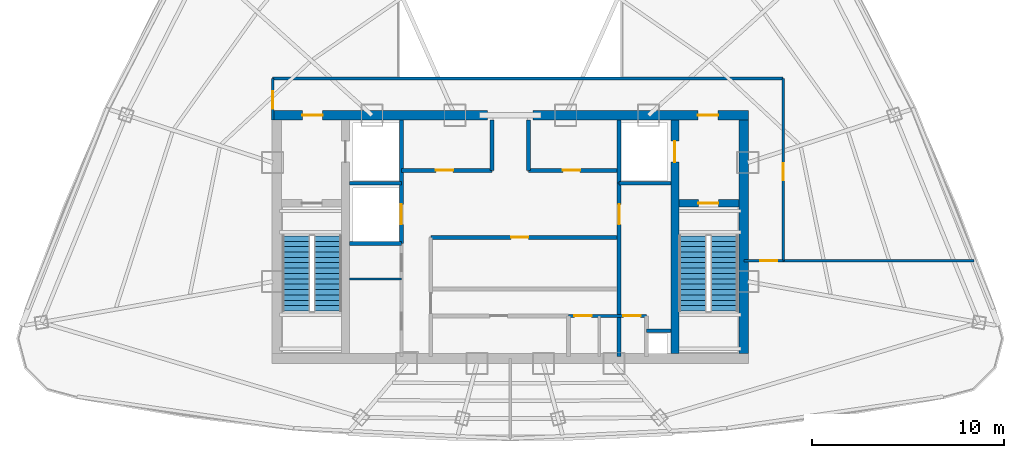
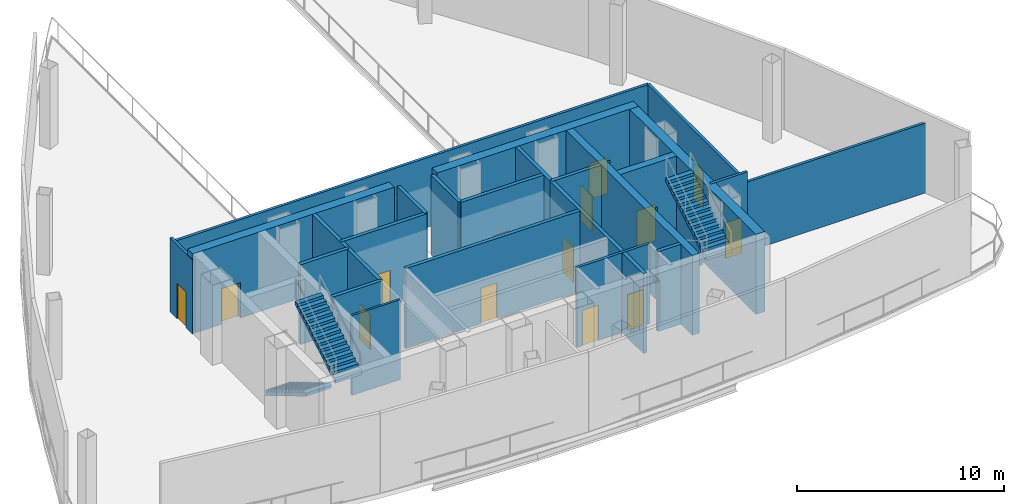
# One storey, part 3 of 6: 24 walls, 14 doors, 4 stair flights, 14 openings, 2 elements without a shape of their own.
"""IFC4 building model written with IfcOpenShell, lengths in metres."""

from ifc_helpers import new_model, si_unit, direction, frame, frame_2d, origin, origin_with_axes, place, context, subcontext, project, spatial, polyline, rectangle, outline, extrude, source, transform, mapped, material, layer, layer_set, type_object, element, fill, aggregate, save


model = new_model("IFC4")

# Units and contexts
model_context = context("Model", 3, precision=1e-05, world=origin(), true_north=direction((0.0, 1.0)))
body_context = subcontext(model_context, "Body", "Model", "MODEL_VIEW")
ifc_project = project(units=[si_unit("LENGTHUNIT", "METRE"), si_unit("AREAUNIT", "SQUARE_METRE"), si_unit("VOLUMEUNIT", "CUBIC_METRE"), si_unit("PLANEANGLEUNIT", "RADIAN"), si_unit("MASSUNIT", "GRAM", prefix="KILO"), si_unit("THERMODYNAMICTEMPERATUREUNIT", "KELVIN"), si_unit("POWERUNIT", "WATT")], contexts=[model_context])

# Site, building, storey
site_placement = place(None, origin())
site = spatial("IfcSite", under=ifc_project, at=site_placement, CompositionType="ELEMENT")
building_placement = place(site_placement, origin())
building = spatial("IfcBuilding", under=site, at=building_placement, Name="Yunzhuo Pagoda Commons", CompositionType="ELEMENT")
storey_placement = place(building_placement, frame((0.0, 0.0, 376.760009765625)))
storey = spatial("IfcBuildingStorey", under=building, at=storey_placement, Name="L94", CompositionType="ELEMENT", Elevation=376.760009765625)

# Wall, opening, door
ifc_material_1 = material(Name="Concrete C50", Category="concrete")
ifc_layer_1 = layer(ifc_material_1, 0.5)
ifc_layer_set_1 = layer_set([ifc_layer_1], Name="Concrete C50")
wall_type_1 = type_object("IfcWallType", Name="W-C03 Upper Core Shear Wall 500", PredefinedType="SHEAR", material=ifc_layer_set_1)
wall_1_placement = place(storey_placement, frame((35.550048828125, 40.199951171875, 0.0), z_axis=(0.0, 0.0, 1.0), x_axis=(1.0, 0.0, 0.0)))
wall_1 = element("IfcWall", 1, at=wall_1_placement, inside=storey, type_object=wall_type_1, Name="L94 core shear wall NW", PredefinedType="SHEAR", context=body_context, shape_type="SweptSolid", body=[
    extrude(rectangle(XDim=11.25, YDim=0.5, at=frame_2d((5.625, 0.0))), origin(), (0.0, 0.0, 1.0), 4.719970703125),
])
opening_1_placement = place(wall_1_placement, frame((1.60009765625, 0.0, 0.0)))
opening_1 = element("IfcOpeningElement", 2, at=opening_1_placement, cuts=wall_1, Name="Opening D-02", PredefinedType="OPENING", context=body_context, shape_type="SweptSolid", body=[
    extrude(rectangle(XDim=1.050048828125, YDim=2.10009765625, at=frame_2d((0.52490234375, 1.050048828125))), frame((0.0, 0.260009765625, 0.0), z_axis=(0.0, -1.0, 0.0), x_axis=(1.0, 0.0, 0.0)), (0.0, 0.0, 1.0), 0.52001953125),
])
ifc_material_2 = material(Name="Galvanized fire-resisting metal leaf")
door_type_1 = type_object("IfcDoorType", Name="D-02 Firefighting Lobby & Refuge Fire Door 1050x2100", OperationType="NOTDEFINED", PredefinedType="DOOR", material=ifc_material_2)
shared_shape_1 = source(origin(), body_context, "Body", "SweptSolid", [
    extrude(rectangle(XDim=1.050048828125, YDim=2.10009765625, at=frame_2d((0.52490234375, 1.050048828125))), frame((0.0, 0.02490234375, 0.0), z_axis=(0.0, -1.0, 0.0), x_axis=(1.0, 0.0, 0.0)), (0.0, 0.0, 1.0), 0.050048828125),
])
door_1_placement = place(opening_1_placement, frame((1.050048828125, 0.0, 0.0), z_axis=(0.0, 0.0, 1.0), x_axis=(-1.0, 0.0, 0.0)))
door_1 = element("IfcDoor", 3, at=door_1_placement, inside=storey, type_object=door_type_1, Name="L94 Firefighting Lobby 1 fire door", OperationType="SINGLE_SWING_LEFT", OverallHeight=2.10009765625, OverallWidth=1.050048828125, PredefinedType="DOOR", context=body_context, shape_type="MappedRepresentation", body=[
    mapped(shared_shape_1, transform((0.0, 0.0, 0.0), scale=1.0)),
])
fill(opening_1, door_1)

wall_2_placement = place(storey_placement, frame((49.199951171875, 40.199951171875, 0.0), z_axis=(0.0, 0.0, 1.0), x_axis=(1.0, 0.0, 0.0)))
wall_2 = element("IfcWall", 4, at=wall_2_placement, inside=storey, type_object=wall_type_1, Name="L94 core shear wall NE", PredefinedType="SHEAR", context=body_context, shape_type="SweptSolid", body=[
    extrude(rectangle(XDim=11.25, YDim=0.5, at=frame_2d((5.625, 0.0))), origin(), (0.0, 0.0, 1.0), 4.719970703125),
])
opening_2_placement = place(wall_2_placement, frame((8.60009765625, 0.0, 0.0)))
opening_2 = element("IfcOpeningElement", 5, at=opening_2_placement, cuts=wall_2, Name="Opening D-02", PredefinedType="OPENING", context=body_context, shape_type="SweptSolid", body=[
    extrude(rectangle(XDim=1.050048828125, YDim=2.10009765625, at=frame_2d((0.52490234375, 1.050048828125))), frame((0.0, 0.260009765625, 0.0), z_axis=(0.0, -1.0, 0.0), x_axis=(1.0, 0.0, 0.0)), (0.0, 0.0, 1.0), 0.52001953125),
])
door_2_placement = place(opening_2_placement, frame((1.050048828125, 0.0, 0.0), z_axis=(0.0, 0.0, 1.0), x_axis=(-1.0, 0.0, 0.0)))
door_2 = element("IfcDoor", 6, at=door_2_placement, inside=storey, type_object=door_type_1, Name="L94 Firefighting Lobby 2 fire door", OperationType="SINGLE_SWING_RIGHT", OverallHeight=2.10009765625, OverallWidth=1.050048828125, PredefinedType="DOOR", context=body_context, shape_type="MappedRepresentation", body=[
    mapped(shared_shape_1, transform((0.0, 0.0, 0.0), scale=1.0)),
])
fill(opening_2, door_2)

# Wall
wall_3_placement = place(storey_placement, frame((60.199951171875, 27.75, 0.0), z_axis=(0.0, 0.0, 1.0), x_axis=(0.0, 1.0, 0.0)))
element("IfcWall", 7, at=wall_3_placement, inside=storey, type_object=wall_type_1, Name="L94 core shear wall E", PredefinedType="SHEAR", context=body_context, shape_type="SweptSolid", body=[
    extrude(rectangle(XDim=12.199951171875, YDim=0.5, at=frame_2d((6.10009765625, 0.0))), origin(), (0.0, 0.0, 1.0), 4.719970703125),
])

# Wall, openings, doors
ifc_material_3 = material(Name="Gypsum plasterboard on acoustic stud")
ifc_layer_2 = layer(ifc_material_3, 0.14990234375)
ifc_layer_set_2 = layer_set([ifc_layer_2], Name="Gypsum plasterboard on acoustic stud")
wall_type_2 = type_object("IfcWallType", Name="W-COR3 High-Zone Rated Corridor Wall 150", PredefinedType="PARTITIONING", material=ifc_layer_set_2)
wall_4_placement = place(storey_placement, frame((51.050048828125, 29.719970703125, 0.0), z_axis=(0.0, 0.0, 1.0), x_axis=(1.0, 0.0, 0.0)))
wall_4 = element("IfcWall", 8, at=wall_4_placement, inside=storey, type_object=wall_type_2, Name="L94 interior wall IW-L94-CSES", PredefinedType="PARTITIONING", context=body_context, shape_type="SweptSolid", body=[
    extrude(rectangle(XDim=4.070068359375, YDim=0.14990234375, at=frame_2d((2.03515625, 0.0))), origin(), (0.0, 0.0, 1.0), 4.719970703125),
])
opening_3_placement = place(wall_4_placement, frame((0.300048828125, 0.0, 0.0)))
opening_3 = element("IfcOpeningElement", 9, at=opening_3_placement, cuts=wall_4, Name="Opening D-03", PredefinedType="OPENING", context=body_context, shape_type="SweptSolid", body=[
    extrude(rectangle(XDim=0.89990234375, YDim=2.10009765625, at=frame_2d((0.449951171875, 1.050048828125))), frame((0.0, 0.0849609375, 0.0), z_axis=(0.0, -1.0, 0.0), x_axis=(1.0, 0.0, 0.0)), (0.0, 0.0, 1.0), 0.169921875),
])
opening_4_placement = place(wall_4_placement, frame((2.860107421875, 0.0, 0.0)))
opening_4 = element("IfcOpeningElement", 10, at=opening_4_placement, cuts=wall_4, Name="Opening D-03", PredefinedType="OPENING", context=body_context, shape_type="SweptSolid", body=[
    extrude(rectangle(XDim=0.89990234375, YDim=2.10009765625, at=frame_2d((0.449951171875, 1.050048828125))), frame((0.0, 0.0849609375, 0.0), z_axis=(0.0, -1.0, 0.0), x_axis=(1.0, 0.0, 0.0)), (0.0, 0.0, 1.0), 0.169921875),
])
door_type_2 = type_object("IfcDoorType", Name="D-03 Core Service Fire Door 900x2100", OperationType="NOTDEFINED", PredefinedType="DOOR", material=ifc_material_2)
shared_shape_2 = source(origin(), body_context, "Body", "SweptSolid", [
    extrude(rectangle(XDim=0.89990234375, YDim=2.10009765625, at=frame_2d((0.449951171875, 1.050048828125))), frame((0.0, 0.02490234375, 0.0), z_axis=(0.0, -1.0, 0.0), x_axis=(1.0, 0.0, 0.0)), (0.0, 0.0, 1.0), 0.050048828125),
])
door_3_placement = place(opening_3_placement, origin_with_axes())
door_3 = element("IfcDoor", 11, at=door_3_placement, inside=storey, type_object=door_type_2, Name="L94 cleaner door", OperationType="SINGLE_SWING_LEFT", OverallHeight=2.10009765625, OverallWidth=0.89990234375, PredefinedType="DOOR", context=body_context, shape_type="MappedRepresentation", body=[
    mapped(shared_shape_2, transform((0.0, 0.0, 0.0), scale=1.0)),
])
fill(opening_3, door_3)
door_4_placement = place(opening_4_placement, origin_with_axes())
door_4 = element("IfcDoor", 12, at=door_4_placement, inside=storey, type_object=door_type_2, Name="L94 core battery door", OperationType="SINGLE_SWING_RIGHT", OverallHeight=2.10009765625, OverallWidth=0.89990234375, PredefinedType="DOOR", context=body_context, shape_type="MappedRepresentation", body=[
    mapped(shared_shape_2, transform((0.0, 0.0, 0.0), scale=1.0)),
])
fill(opening_4, door_4)

# Wall, opening, door
wall_5_placement = place(storey_placement, frame((35.60009765625, 39.949951171875, 0.0), z_axis=(0.0, 0.0, 1.0), x_axis=(0.0, 1.0, 0.0)))
wall_5 = element("IfcWall", 13, at=wall_5_placement, inside=storey, type_object=wall_type_2, Name="L94 interior wall IW-L94-WPW", PredefinedType="PARTITIONING", context=body_context, shape_type="SweptSolid", body=[
    extrude(rectangle(XDim=2.170166015625, YDim=0.14990234375, at=frame_2d((1.0849609375, 0.0))), origin(), (0.0, 0.0, 1.0), 4.369873046875),
])
opening_5_placement = place(wall_5_placement, frame((0.60009765625, 0.0, 0.0)))
opening_5 = element("IfcOpeningElement", 14, at=opening_5_placement, cuts=wall_5, Name="Opening D-03", PredefinedType="OPENING", context=body_context, shape_type="SweptSolid", body=[
    extrude(rectangle(XDim=0.89990234375, YDim=2.10009765625, at=frame_2d((0.449951171875, 1.050048828125))), frame((0.0, 0.0849609375, 0.0), z_axis=(0.0, -1.0, 0.0), x_axis=(1.0, 0.0, 0.0)), (0.0, 0.0, 1.0), 0.169921875),
])
door_5_placement = place(opening_5_placement, origin_with_axes())
door_5 = element("IfcDoor", 15, at=door_5_placement, inside=storey, type_object=door_type_2, Name="L94 machine room door", OperationType="SINGLE_SWING_LEFT", OverallHeight=2.10009765625, OverallWidth=0.89990234375, PredefinedType="DOOR", context=body_context, shape_type="MappedRepresentation", body=[
    mapped(shared_shape_2, transform((0.0, 0.0, 0.0), scale=1.0)),
])
fill(opening_5, door_5)

# Wall
wall_6_placement = place(storey_placement, frame((35.60009765625, 42.1201171875, 0.0), z_axis=(0.0, 0.0, 1.0), x_axis=(1.0, 0.0, 0.0)))
element("IfcWall", 16, at=wall_6_placement, inside=storey, type_object=wall_type_2, Name="L94 interior wall IW-L94-WPN", PredefinedType="PARTITIONING", context=body_context, shape_type="SweptSolid", body=[
    extrude(rectangle(XDim=26.64990234375, YDim=0.14990234375, at=frame_2d((13.324951171875, 0.0))), origin(), (0.0, 0.0, 1.0), 4.119873046875),
])

# Wall, opening, door
wall_7_placement = place(storey_placement, frame((62.25, 32.60009765625, 0.0), z_axis=(0.0, 0.0, 1.0), x_axis=(0.0, 1.0, 0.0)))
wall_7 = element("IfcWall", 17, at=wall_7_placement, inside=storey, type_object=wall_type_2, Name="L94 interior wall IW-L94-WPE1", PredefinedType="PARTITIONING", context=body_context, shape_type="SweptSolid", body=[
    extrude(rectangle(XDim=9.52001953125, YDim=0.14990234375, at=frame_2d((4.760009765625, 0.0))), origin(), (0.0, 0.0, 1.0), 4.119873046875),
])
opening_6_placement = place(wall_7_placement, frame((4.199951171875, 0.0, 0.0)))
opening_6 = element("IfcOpeningElement", 18, at=opening_6_placement, cuts=wall_7, Name="Opening D-03", PredefinedType="OPENING", context=body_context, shape_type="SweptSolid", body=[
    extrude(rectangle(XDim=0.89990234375, YDim=2.10009765625, at=frame_2d((0.449951171875, 1.050048828125))), frame((0.0, 0.0849609375, 0.0), z_axis=(0.0, -1.0, 0.0), x_axis=(1.0, 0.0, 0.0)), (0.0, 0.0, 1.0), 0.169921875),
])
door_6_placement = place(opening_6_placement, frame((0.89990234375, 0.0, 0.0), z_axis=(0.0, 0.0, 1.0), x_axis=(-1.0, 0.0, 0.0)))
door_6 = element("IfcDoor", 19, at=door_6_placement, inside=storey, type_object=door_type_2, Name="L94 exhaust plant door", OperationType="SINGLE_SWING_RIGHT", OverallHeight=2.10009765625, OverallWidth=0.89990234375, PredefinedType="DOOR", context=body_context, shape_type="MappedRepresentation", body=[
    mapped(shared_shape_2, transform((0.0, 0.0, 0.0), scale=1.0)),
])
fill(opening_6, door_6)

wall_8_placement = place(storey_placement, frame((60.199951171875, 32.60009765625, 0.0), z_axis=(0.0, 0.0, 1.0), x_axis=(1.0, 0.0, 0.0)))
wall_8 = element("IfcWall", 20, at=wall_8_placement, inside=storey, type_object=wall_type_2, Name="L94 interior wall IW-L94-WPES", PredefinedType="PARTITIONING", context=body_context, shape_type="SweptSolid", body=[
    extrude(rectangle(XDim=2.050048828125, YDim=0.14990234375, at=frame_2d((1.02490234375, 0.0))), origin(), (0.0, 0.0, 1.0), 4.719970703125),
])
opening_7_placement = place(wall_8_placement, frame((0.85107421875, 0.0, 0.0)))
opening_7 = element("IfcOpeningElement", 21, at=opening_7_placement, cuts=wall_8, Name="Opening D-03", PredefinedType="OPENING", context=body_context, shape_type="SweptSolid", body=[
    extrude(rectangle(XDim=0.89990234375, YDim=2.10009765625, at=frame_2d((0.449951171875, 1.050048828125))), frame((0.0, 0.0849609375, 0.0), z_axis=(0.0, -1.0, 0.0), x_axis=(1.0, 0.0, 0.0)), (0.0, 0.0, 1.0), 0.169921875),
])
door_7_placement = place(opening_7_placement, origin_with_axes())
door_7 = element("IfcDoor", 22, at=door_7_placement, inside=storey, type_object=door_type_2, Name="L94 switchgear plant door", OperationType="SINGLE_SWING_RIGHT", OverallHeight=2.10009765625, OverallWidth=0.89990234375, PredefinedType="DOOR", context=body_context, shape_type="MappedRepresentation", body=[
    mapped(shared_shape_2, transform((0.0, 0.0, 0.0), scale=1.0)),
])
fill(opening_7, door_7)

# Walls
wall_9_placement = place(storey_placement, frame((62.25, 32.60009765625, 0.0), z_axis=(0.0, 0.0, 1.0), x_axis=(1.0, 0.0, 0.0)))
element("IfcWall", 23, at=wall_9_placement, inside=storey, type_object=wall_type_2, Name="L94 interior wall IW-L94-WPEDIV", PredefinedType="PARTITIONING", context=body_context, shape_type="SweptSolid", body=[
    extrude(rectangle(XDim=9.97021484375, YDim=0.14990234375, at=frame_2d((4.985107421875, 0.0))), origin(), (0.0, 0.0, 1.0), 4.119873046875),
])
ifc_layer_3 = layer(ifc_material_3, 0.1201171875)
ifc_layer_set_3 = layer_set([ifc_layer_3], Name="Gypsum plasterboard on acoustic stud")
wall_type_3 = type_object("IfcWallType", Name="W-PRT1 Suite & Bathroom Partition 120", PredefinedType="PARTITIONING", material=ifc_layer_set_3)
wall_10_placement = place(storey_placement, frame((39.60009765625, 31.64990234375, 0.0), z_axis=(0.0, 0.0, 1.0), x_axis=(1.0, 0.0, 0.0)))
element("IfcWall", 24, at=wall_10_placement, inside=storey, type_object=wall_type_3, Name="L94 interior wall IW-L94-CD1", PredefinedType="PARTITIONING", context=body_context, shape_type="SweptSolid", body=[
    extrude(rectangle(XDim=2.719970703125, YDim=0.1201171875, at=frame_2d((1.35986328125, 0.0))), origin(), (0.0, 0.0, 1.0), 4.719970703125),
])

# Wall, opening, door
ifc_material_4 = material(Name="Concrete C60", Category="concrete")
ifc_layer_4 = layer(ifc_material_4, 0.39990234375)
ifc_layer_set_4 = layer_set([ifc_layer_4], Name="Concrete C60")
wall_type_4 = type_object("IfcWallType", Name="W-S01 Internal Core Shear Web 400", PredefinedType="SHEAR", material=ifc_layer_set_4)
wall_11_placement = place(storey_placement, frame((56.60009765625, 27.75, 0.0), z_axis=(0.0, 0.0, 1.0), x_axis=(0.0, 1.0, 0.0)))
wall_11 = element("IfcWall", 25, at=wall_11_placement, inside=storey, type_object=wall_type_4, Name="L94 core shear wall WEBE", PredefinedType="SHEAR", context=body_context, shape_type="SweptSolid", body=[
    extrude(rectangle(XDim=12.199951171875, YDim=0.39990234375, at=frame_2d((6.10009765625, 0.0))), origin(), (0.0, 0.0, 1.0), 4.719970703125),
])
opening_8_placement = place(wall_11_placement, frame((10.0, 0.0, 0.0)))
opening_8 = element("IfcOpeningElement", 26, at=opening_8_placement, cuts=wall_11, Name="Opening LD-01", PredefinedType="OPENING", context=body_context, shape_type="SweptSolid", body=[
    extrude(rectangle(XDim=1.10009765625, YDim=2.10009765625, at=frame_2d((0.550048828125, 1.050048828125))), frame((0.0, 0.2099609375, 0.0), z_axis=(0.0, -1.0, 0.0), x_axis=(1.0, 0.0, 0.0)), (0.0, 0.0, 1.0), 0.419921875),
])
door_type_3 = type_object("IfcDoorType", Name="LD-01 Firefighting Lift Landing Door 1100x2100", OperationType="DOUBLE_DOOR_SLIDING", PredefinedType="DOOR", material=ifc_material_2)
shared_shape_3 = source(origin(), body_context, "Body", "SweptSolid", [
    extrude(rectangle(XDim=1.10009765625, YDim=2.10009765625, at=frame_2d((0.550048828125, 1.050048828125))), frame((0.0, 0.02490234375, 0.0), z_axis=(0.0, -1.0, 0.0), x_axis=(1.0, 0.0, 0.0)), (0.0, 0.0, 1.0), 0.050048828125),
])
door_8_placement = place(opening_8_placement, origin_with_axes())
door_8 = element("IfcDoor", 27, at=door_8_placement, inside=storey, type_object=door_type_3, Name="L94 Firefighting lift FL-2 landing door", OperationType="DOUBLE_DOOR_SLIDING", OverallHeight=2.10009765625, OverallWidth=1.10009765625, PredefinedType="DOOR", context=body_context, shape_type="MappedRepresentation", body=[
    mapped(shared_shape_3, transform((0.0, 0.0, 0.0), scale=1.0)),
])
fill(opening_8, door_8)

wall_12_placement = place(storey_placement, frame((56.800048828125, 35.60009765625, 0.0), z_axis=(0.0, 0.0, 1.0), x_axis=(1.0, 0.0, 0.0)))
wall_12 = element("IfcWall", 28, at=wall_12_placement, inside=storey, type_object=wall_type_4, Name="L94 core shear wall STE", PredefinedType="SHEAR", context=body_context, shape_type="SweptSolid", body=[
    extrude(rectangle(XDim=3.14990234375, YDim=0.39990234375, at=frame_2d((1.574951171875, 0.0))), origin(), (0.0, 0.0, 1.0), 4.719970703125),
])
opening_9_placement = place(wall_12_placement, frame((1.02001953125, 0.0, 0.0)))
opening_9 = element("IfcOpeningElement", 29, at=opening_9_placement, cuts=wall_12, Name="Opening D-01", PredefinedType="OPENING", context=body_context, shape_type="SweptSolid", body=[
    extrude(rectangle(XDim=1.050048828125, YDim=2.10009765625, at=frame_2d((0.52490234375, 1.050048828125))), frame((0.0, 0.2099609375, 0.0), z_axis=(0.0, -1.0, 0.0), x_axis=(1.0, 0.0, 0.0)), (0.0, 0.0, 1.0), 0.419921875),
])
door_type_4 = type_object("IfcDoorType", Name="D-01 Smokeproof Stair Fire Door 1050x2100", OperationType="NOTDEFINED", PredefinedType="DOOR", material=ifc_material_2)
door_9_placement = place(opening_9_placement, frame((1.050048828125, 0.0, 0.0), z_axis=(0.0, 0.0, 1.0), x_axis=(-1.0, 0.0, 0.0)))
door_9 = element("IfcDoor", 30, at=door_9_placement, inside=storey, type_object=door_type_4, Name="L94 Stair ST2 fire door", OperationType="SINGLE_SWING_RIGHT", OverallHeight=2.10009765625, OverallWidth=1.050048828125, PredefinedType="DOOR", context=body_context, shape_type="MappedRepresentation", body=[
    mapped(shared_shape_1, transform((0.0, 0.0, 0.0), scale=1.0)),
])
fill(opening_9, door_9)

ifc_material_5 = material(Name="Concrete C40", Category="concrete")
ifc_layer_5 = layer(ifc_material_5, 0.199951171875)
ifc_layer_set_5 = layer_set([ifc_layer_5], Name="Concrete C40")
wall_type_5 = type_object("IfcWallType", Name="W-SHF Shaft & Stair Enclosure Wall 200", PredefinedType="SOLIDWALL", material=ifc_layer_set_5)
wall_13_placement = place(storey_placement, frame((42.320068359375, 33.5, 0.0), z_axis=(0.0, 0.0, 1.0), x_axis=(0.0, 1.0, 0.0)))
wall_13 = element("IfcWall", 31, at=wall_13_placement, inside=storey, type_object=wall_type_5, Name="L94 interior wall IW-L94-FL1E", PredefinedType="SOLIDWALL", context=body_context, shape_type="SweptSolid", body=[
    extrude(rectangle(XDim=6.449951171875, YDim=0.199951171875, at=frame_2d((3.22509765625, 0.0))), origin(), (0.0, 0.0, 1.0), 4.719970703125),
])
opening_10_placement = place(wall_13_placement, frame((1.0, 0.0, 0.0)))
opening_10 = element("IfcOpeningElement", 32, at=opening_10_placement, cuts=wall_13, Name="Opening LD-02", PredefinedType="OPENING", context=body_context, shape_type="SweptSolid", body=[
    extrude(rectangle(XDim=1.050048828125, YDim=2.10009765625, at=frame_2d((0.52490234375, 1.050048828125))), frame((0.0, 0.10986328125, 0.0), z_axis=(0.0, -1.0, 0.0), x_axis=(1.0, 0.0, 0.0)), (0.0, 0.0, 1.0), 0.219970703125),
])
door_type_5 = type_object("IfcDoorType", Name="LD-02 Passenger Lift Landing Door 1050x2100", OperationType="DOUBLE_DOOR_SLIDING", PredefinedType="DOOR", material=ifc_material_2)
door_10_placement = place(opening_10_placement, origin_with_axes())
door_10 = element("IfcDoor", 33, at=door_10_placement, inside=storey, type_object=door_type_5, Name="L94 Service lift SL-1 landing door", OperationType="DOUBLE_DOOR_SLIDING", OverallHeight=2.10009765625, OverallWidth=1.050048828125, PredefinedType="DOOR", context=body_context, shape_type="MappedRepresentation", body=[
    mapped(shared_shape_1, transform((0.0, 0.0, 0.0), scale=1.0)),
])
fill(opening_10, door_10)

# Walls
for number, where, z_axis, x_axis, name in (
    (34, (39.60009765625, 36.64990234375, 0.0), (0.0, 0.0, 1.0), (1.0, 0.0, 0.0), "L94 interior wall IW-L94-FL1S"),
    (35, (39.60009765625, 33.5, 0.0), (0.0, 0.0, 1.0), (1.0, 0.0, 0.0), "L94 interior wall IW-L94-SL1S"),
):
    element("IfcWall", number, at=place(storey_placement, frame(where, z_axis=z_axis, x_axis=x_axis)), inside=storey, type_object=wall_type_5, Name=name, PredefinedType="SOLIDWALL", context=body_context, shape_type="SweptSolid", body=[
        extrude(rectangle(XDim=2.719970703125, YDim=0.199951171875, at=frame_2d((1.35986328125, 0.0))), origin(), (0.0, 0.0, 1.0), 4.719970703125),
    ])
wall_14_placement = place(storey_placement, frame((53.679931640625, 36.64990234375, 0.0), z_axis=(0.0, 0.0, 1.0), x_axis=(0.0, 1.0, 0.0)))
element("IfcWall", 36, at=wall_14_placement, inside=storey, type_object=wall_type_5, Name="L94 interior wall IW-L94-FL2W", PredefinedType="SOLIDWALL", context=body_context, shape_type="SweptSolid", body=[
    extrude(rectangle(XDim=3.300048828125, YDim=0.199951171875, at=frame_2d((1.64990234375, 0.0))), origin(), (0.0, 0.0, 1.0), 4.719970703125),
])
wall_15_placement = place(storey_placement, frame((53.679931640625, 36.64990234375, 0.0), z_axis=(0.0, 0.0, 1.0), x_axis=(1.0, 0.0, 0.0)))
element("IfcWall", 37, at=wall_15_placement, inside=storey, type_object=wall_type_5, Name="L94 interior wall IW-L94-FL2S", PredefinedType="SOLIDWALL", context=body_context, shape_type="SweptSolid", body=[
    extrude(rectangle(XDim=2.719970703125, YDim=0.199951171875, at=frame_2d((1.35986328125, 0.0))), origin(), (0.0, 0.0, 1.0), 4.719970703125),
])

# Wall, opening, door
wall_16_placement = place(storey_placement, frame((42.320068359375, 37.320068359375, 0.0), z_axis=(0.0, 0.0, 1.0), x_axis=(1.0, 0.0, 0.0)))
wall_16 = element("IfcWall", 38, at=wall_16_placement, inside=storey, type_object=wall_type_5, Name="L94 interior wall IW-L94-LBNW", PredefinedType="SOLIDWALL", context=body_context, shape_type="SweptSolid", body=[
    extrude(rectangle(XDim=4.72998046875, YDim=0.199951171875, at=frame_2d((2.364990234375, 0.0))), origin(), (0.0, 0.0, 1.0), 4.719970703125),
])
opening_11_placement = place(wall_16_placement, frame((1.800048828125, 0.0, 0.0)))
opening_11 = element("IfcOpeningElement", 39, at=opening_11_placement, cuts=wall_16, Name="Opening D-03", PredefinedType="OPENING", context=body_context, shape_type="SweptSolid", body=[
    extrude(rectangle(XDim=0.89990234375, YDim=2.10009765625, at=frame_2d((0.449951171875, 1.050048828125))), frame((0.0, 0.10986328125, 0.0), z_axis=(0.0, -1.0, 0.0), x_axis=(1.0, 0.0, 0.0)), (0.0, 0.0, 1.0), 0.219970703125),
])
door_11_placement = place(opening_11_placement, frame((0.89990234375, 0.0, 0.0), z_axis=(0.0, 0.0, 1.0), x_axis=(-1.0, 0.0, 0.0)))
door_11 = element("IfcDoor", 40, at=door_11_placement, inside=storey, type_object=door_type_2, Name="L94 core west store door", OperationType="SINGLE_SWING_LEFT", OverallHeight=2.10009765625, OverallWidth=0.89990234375, PredefinedType="DOOR", context=body_context, shape_type="MappedRepresentation", body=[
    mapped(shared_shape_2, transform((0.0, 0.0, 0.0), scale=1.0)),
])
fill(opening_11, door_11)

wall_17_placement = place(storey_placement, frame((48.949951171875, 37.320068359375, 0.0), z_axis=(0.0, 0.0, 1.0), x_axis=(1.0, 0.0, 0.0)))
wall_17 = element("IfcWall", 41, at=wall_17_placement, inside=storey, type_object=wall_type_5, Name="L94 interior wall IW-L94-LBNE", PredefinedType="SOLIDWALL", context=body_context, shape_type="SweptSolid", body=[
    extrude(rectangle(XDim=4.72998046875, YDim=0.199951171875, at=frame_2d((2.364990234375, 0.0))), origin(), (0.0, 0.0, 1.0), 4.719970703125),
])
opening_12_placement = place(wall_17_placement, frame((1.800048828125, 0.0, 0.0)))
opening_12 = element("IfcOpeningElement", 42, at=opening_12_placement, cuts=wall_17, Name="Opening D-03", PredefinedType="OPENING", context=body_context, shape_type="SweptSolid", body=[
    extrude(rectangle(XDim=0.89990234375, YDim=2.10009765625, at=frame_2d((0.449951171875, 1.050048828125))), frame((0.0, 0.10986328125, 0.0), z_axis=(0.0, -1.0, 0.0), x_axis=(1.0, 0.0, 0.0)), (0.0, 0.0, 1.0), 0.219970703125),
])
door_12_placement = place(opening_12_placement, frame((0.89990234375, 0.0, 0.0), z_axis=(0.0, 0.0, 1.0), x_axis=(-1.0, 0.0, 0.0)))
door_12 = element("IfcDoor", 43, at=door_12_placement, inside=storey, type_object=door_type_2, Name="L94 core east store door", OperationType="SINGLE_SWING_RIGHT", OverallHeight=2.10009765625, OverallWidth=0.89990234375, PredefinedType="DOOR", context=body_context, shape_type="MappedRepresentation", body=[
    mapped(shared_shape_2, transform((0.0, 0.0, 0.0), scale=1.0)),
])
fill(opening_12, door_12)

# Walls
for number, where, z_axis, x_axis, name in (
    (44, (47.050048828125, 37.320068359375, 0.0), (0.0, 0.0, 1.0), (0.0, 1.0, 0.0), "L94 interior wall IW-L94-THRW"),
    (45, (48.949951171875, 37.320068359375, 0.0), (0.0, 0.0, 1.0), (0.0, 1.0, 0.0), "L94 interior wall IW-L94-THRE"),
):
    element("IfcWall", number, at=place(storey_placement, frame(where, z_axis=z_axis, x_axis=x_axis)), inside=storey, type_object=wall_type_5, Name=name, PredefinedType="SOLIDWALL", context=body_context, shape_type="SweptSolid", body=[
        extrude(rectangle(XDim=2.6298828125, YDim=0.199951171875, at=frame_2d((1.31494140625, 0.0))), origin(), (0.0, 0.0, 1.0), 4.719970703125),
    ])

# Wall, opening, door
wall_18_placement = place(storey_placement, frame((43.85009765625, 33.820068359375, 0.0), z_axis=(0.0, 0.0, 1.0), x_axis=(1.0, 0.0, 0.0)))
wall_18 = element("IfcWall", 46, at=wall_18_placement, inside=storey, type_object=wall_type_5, Name="L94 interior wall IW-L94-MLBS", PredefinedType="SOLIDWALL", context=body_context, shape_type="SweptSolid", body=[
    extrude(rectangle(XDim=9.829833984375, YDim=0.199951171875, at=frame_2d((4.9150390625, 0.0))), origin(), (0.0, 0.0, 1.0), 4.719970703125),
])
opening_13_placement = place(wall_18_placement, frame((4.199951171875, 0.0, 0.0)))
opening_13 = element("IfcOpeningElement", 47, at=opening_13_placement, cuts=wall_18, Name="Opening D-03", PredefinedType="OPENING", context=body_context, shape_type="SweptSolid", body=[
    extrude(rectangle(XDim=0.89990234375, YDim=2.10009765625, at=frame_2d((0.449951171875, 1.050048828125))), frame((0.0, 0.10986328125, 0.0), z_axis=(0.0, -1.0, 0.0), x_axis=(1.0, 0.0, 0.0)), (0.0, 0.0, 1.0), 0.219970703125),
])
door_13_placement = place(opening_13_placement, origin_with_axes())
door_13 = element("IfcDoor", 48, at=door_13_placement, inside=storey, type_object=door_type_2, Name="L94 core archive store door", OperationType="SINGLE_SWING_LEFT", OverallHeight=2.10009765625, OverallWidth=0.89990234375, PredefinedType="DOOR", context=body_context, shape_type="MappedRepresentation", body=[
    mapped(shared_shape_2, transform((0.0, 0.0, 0.0), scale=1.0)),
])
fill(opening_13, door_13)

wall_19_placement = place(storey_placement, frame((53.679931640625, 27.60009765625, 0.0), z_axis=(0.0, 0.0, 1.0), x_axis=(0.0, 1.0, 0.0)))
wall_19 = element("IfcWall", 49, at=wall_19_placement, inside=storey, type_object=wall_type_5, Name="L94 interior wall IW-L94-PLME", PredefinedType="SOLIDWALL", context=body_context, shape_type="SweptSolid", body=[
    extrude(rectangle(XDim=9.0498046875, YDim=0.199951171875, at=frame_2d((4.52490234375, 0.0))), origin(), (0.0, 0.0, 1.0), 4.719970703125),
])
opening_14_placement = place(wall_19_placement, frame((6.89990234375, 0.0, 0.0)))
opening_14 = element("IfcOpeningElement", 50, at=opening_14_placement, cuts=wall_19, Name="Opening D-02", PredefinedType="OPENING", context=body_context, shape_type="SweptSolid", body=[
    extrude(rectangle(XDim=1.050048828125, YDim=2.10009765625, at=frame_2d((0.52490234375, 1.050048828125))), frame((0.0, 0.10986328125, 0.0), z_axis=(0.0, -1.0, 0.0), x_axis=(1.0, 0.0, 0.0)), (0.0, 0.0, 1.0), 0.219970703125),
])
door_14_placement = place(opening_14_placement, origin_with_axes())
door_14 = element("IfcDoor", 51, at=door_14_placement, inside=storey, type_object=door_type_1, Name="L94 High-bank lift hall door", OperationType="SINGLE_SWING_RIGHT", OverallHeight=2.10009765625, OverallWidth=1.050048828125, PredefinedType="DOOR", context=body_context, shape_type="MappedRepresentation", body=[
    mapped(shared_shape_1, transform((0.0, 0.0, 0.0), scale=1.0)),
])
fill(opening_14, door_14)

# Wall
wall_20_placement = place(storey_placement, frame((55.1201171875, 28.949951171875, 0.0), z_axis=(0.0, 0.0, 1.0), x_axis=(1.0, 0.0, 0.0)))
element("IfcWall", 52, at=wall_20_placement, inside=storey, type_object=wall_type_5, Name="L94 interior wall IW-L94-RSHFN", PredefinedType="SOLIDWALL", context=body_context, shape_type="SweptSolid", body=[
    extrude(rectangle(XDim=1.27978515625, YDim=0.199951171875, at=frame_2d((0.639892578125, 0.0))), origin(), (0.0, 0.0, 1.0), 4.719970703125),
])

# Stair, stair flights
stair_type_1 = type_object("IfcStairType", Name="ST-C1 Core Smokeproof Stair ST1", PredefinedType="HALF_TURN_STAIR", material=ifc_material_5)
stair_1_placement = place(storey_placement, origin())
stair_1 = element("IfcStair", 53, at=stair_1_placement, inside=storey, type_object=stair_type_1, Name="L94 Core smokeproof stair ST1", PredefinedType="HALF_TURN_STAIR")
stair_flight_type_1 = type_object("IfcStairFlightType", Name="STF-C1 Core Stair Flight 1450", PredefinedType="STRAIGHT", material=ifc_material_5)
shared_shape_4 = source(origin(), body_context, "Body", "SweptSolid", [
    extrude(outline(polyline([(0.0, -0.14990234375), (0.0, 0.0), (0.0, 0.166748046875), (0.280029296875, 0.166748046875), (0.280029296875, 0.333251953125), (0.56005859375, 0.333251953125), (0.56005859375, 0.5), (0.840087890625, 0.5), (0.840087890625, 0.666748046875), (1.1201171875, 0.666748046875), (1.1201171875, 0.833251953125), (1.39990234375, 0.833251953125), (1.39990234375, 1.0), (1.679931640625, 1.0), (1.679931640625, 1.166748046875), (1.9599609375, 1.166748046875), (1.9599609375, 1.333251953125), (2.239990234375, 1.333251953125), (2.239990234375, 1.5), (2.52001953125, 1.5), (2.52001953125, 1.666748046875), (2.800048828125, 1.666748046875), (2.800048828125, 1.833251953125), (3.080078125, 1.833251953125), (3.080078125, 2.0), (3.360107421875, 2.0), (3.360107421875, 2.166748046875), (3.639892578125, 2.166748046875), (3.639892578125, 2.333251953125), (3.919921875, 2.333251953125), (3.919921875, 2.5), (3.919921875, 2.158935546875), (0.29296875, 0.0), (0.050048828125, -0.14990234375), (0.0, -0.14990234375)])), frame((0.0, 0.72509765625, 0.0), z_axis=(0.0, -1.0, 0.0), x_axis=(1.0, 0.0, 0.0)), (0.0, 0.0, 1.0), 1.449951171875),
])
stair_flight_1_placement = place(storey_placement, frame((36.824951171875, 33.89990234375, 0.0), z_axis=(0.0, 0.0, 1.0), x_axis=(0.0, -1.0, 0.0)))
stair_flight_1 = element("IfcStairFlight", 54, at=stair_flight_1_placement, type_object=stair_flight_type_1, Name="ST1 flight 1", NumberOfRisers=15, NumberOfTreads=14, PredefinedType="STRAIGHT", RiserHeight=0.166666667, TreadLength=0.28, context=body_context, shape_type="MappedRepresentation", body=[
    mapped(shared_shape_4, transform((0.0, 0.0, 0.0), scale=1.0)),
])
stair_flight_2_placement = place(storey_placement, frame((38.47509765625, 29.97998046875, 2.5), z_axis=(0.0, 0.0, 1.0), x_axis=(0.0, 1.0, 0.0)))
stair_flight_2 = element("IfcStairFlight", 55, at=stair_flight_2_placement, type_object=stair_flight_type_1, Name="ST1 flight 2", NumberOfRisers=15, NumberOfTreads=14, PredefinedType="STRAIGHT", RiserHeight=0.166666667, TreadLength=0.28, context=body_context, shape_type="MappedRepresentation", body=[
    mapped(shared_shape_4, transform((0.0, 0.0, 0.0), scale=1.0)),
])
aggregate(stair_1, [stair_flight_1, stair_flight_2])

stair_type_2 = type_object("IfcStairType", Name="ST-C2 Core Smokeproof Stair ST2", PredefinedType="HALF_TURN_STAIR", material=ifc_material_5)
stair_2_placement = place(storey_placement, origin())
stair_2 = element("IfcStair", 56, at=stair_2_placement, inside=storey, type_object=stair_type_2, Name="L94 Core smokeproof stair ST2", PredefinedType="HALF_TURN_STAIR")
stair_flight_type_2 = type_object("IfcStairFlightType", Name="STF-C2 Core Stair Flight 1460", PredefinedType="STRAIGHT", material=ifc_material_5)
stair_flight_3_placement = place(storey_placement, frame((57.52490234375, 33.89990234375, 0.0), z_axis=(0.0, 0.0, 1.0), x_axis=(0.0, -1.0, 0.0)))
stair_flight_3 = element("IfcStairFlight", 57, at=stair_flight_3_placement, type_object=stair_flight_type_2, Name="ST2 flight 1", NumberOfRisers=15, NumberOfTreads=14, PredefinedType="STRAIGHT", RiserHeight=0.166666667, TreadLength=0.28, context=body_context, shape_type="MappedRepresentation", body=[
    mapped(shared_shape_4, transform((0.0, 0.0, 0.0), scale=1.0)),
])
stair_flight_4_placement = place(storey_placement, frame((59.175048828125, 29.97998046875, 2.5), z_axis=(0.0, 0.0, 1.0), x_axis=(0.0, 1.0, 0.0)))
stair_flight_4 = element("IfcStairFlight", 58, at=stair_flight_4_placement, type_object=stair_flight_type_2, Name="ST2 flight 2", NumberOfRisers=15, NumberOfTreads=14, PredefinedType="STRAIGHT", RiserHeight=0.166666667, TreadLength=0.28, context=body_context, shape_type="MappedRepresentation", body=[
    mapped(shared_shape_4, transform((0.0, 0.0, 0.0), scale=1.0)),
])
aggregate(stair_2, [stair_flight_3, stair_flight_4])

save(model, "model.ifc")
